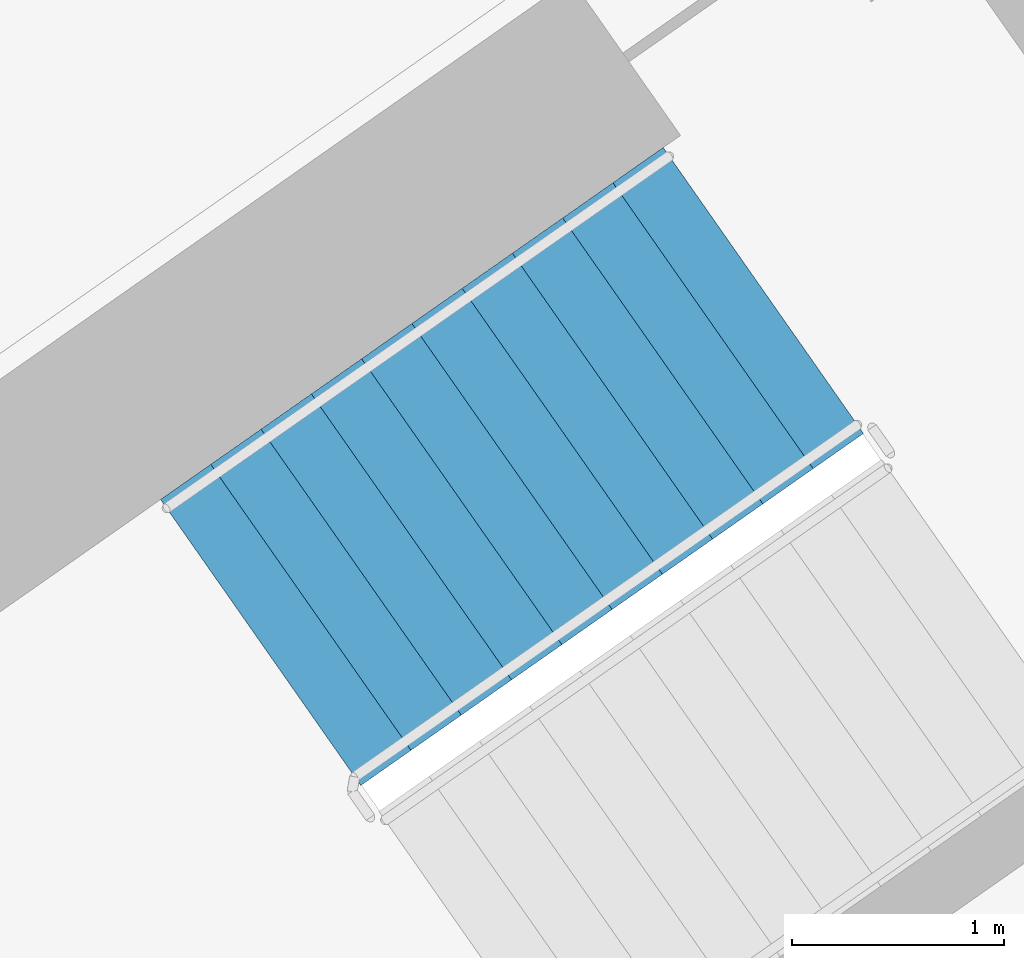
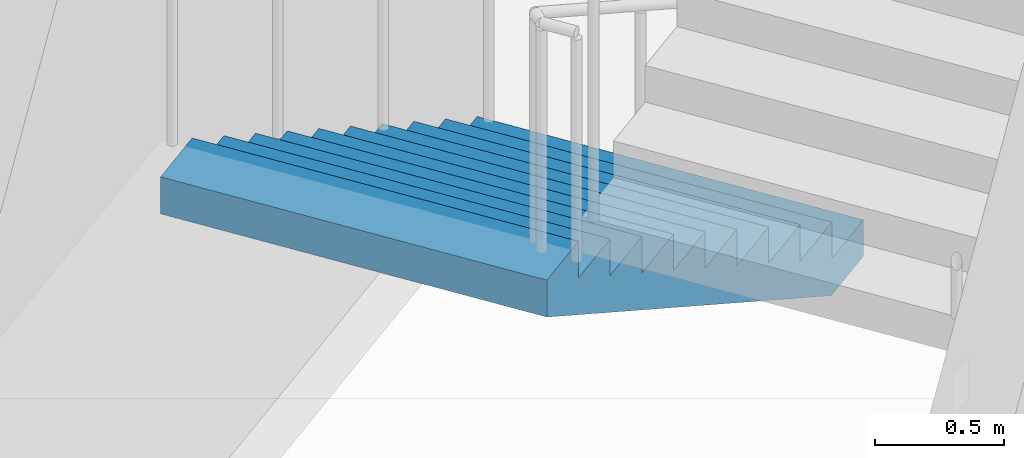
# One storey, part 14 of 29: 1 stair flight, 1 element without a shape of its own.
"""IFC4 building model written with IfcOpenShell, lengths in metres."""

from ifc_helpers import new_model, si_unit, direction, frame, origin, place, context, subcontext, project, spatial, faceted_brep, material, type_object, element, aggregate, save


model = new_model("IFC4")

# Units and contexts
model_context = context("Model", 3, precision=1e-05, world=origin(), true_north=direction((0.0, 1.0)))
body_context = subcontext(model_context, "Body", "Model", "MODEL_VIEW")
ifc_project = project(units=[si_unit("LENGTHUNIT", "METRE"), si_unit("AREAUNIT", "SQUARE_METRE"), si_unit("VOLUMEUNIT", "CUBIC_METRE"), si_unit("PLANEANGLEUNIT", "RADIAN"), si_unit("MASSUNIT", "GRAM", prefix="KILO")], contexts=[model_context])

# Site, building, storey
site_placement = place(None, origin())
site = spatial("IfcSite", under=ifc_project, at=site_placement, CompositionType="ELEMENT")
building_placement = place(site_placement, origin())
building = spatial("IfcBuilding", under=site, at=building_placement, Name="Qamariyya Broadcast Tower", CompositionType="ELEMENT")
storey_placement = place(building_placement, frame((0.0, 0.0, 136.699951171875)))
storey = spatial("IfcBuildingStorey", under=building, at=storey_placement, Name="L31", CompositionType="ELEMENT", Elevation=136.699951171875)

# Stair, stair flight
ifc_material = material(Name="Concrete C50/60", Category="concrete")
stair_type = type_object("IfcStairType", Name="Exit stair 22 risers of 173 mm", PredefinedType="HALF_TURN_STAIR", material=ifc_material)
stair_placement = place(storey_placement, origin())
stair = element("IfcStair", 1, at=stair_placement, inside=storey, type_object=stair_type, Name="L31 Stair E2", PredefinedType="HALF_TURN_STAIR")
stair_flight_type = type_object("IfcStairFlightType", Name="Exit stair flight 11 risers of 173 mm", PredefinedType="STRAIGHT", material=ifc_material)
stair_flight_placement = place(storey_placement, frame((40.558837890625, -47.685302734375, 0.0), z_axis=(0.0, 0.0, 1.0), x_axis=(-0.819152044289, -0.573576436351, 0.0)))
stair_flight = element("IfcStairFlight", 2, at=stair_flight_placement, type_object=stair_flight_type, Name="ST-E2 flight 1", NumberOfRisers=11, NumberOfTreads=10, PredefinedType="STRAIGHT", RiserHeight=0.172727273, TreadLength=0.29, context=body_context, shape_type="Brep", body=[
    faceted_brep([(0.0, 0.824951171875, 0.0), (0.0, 0.824951171875, 0.172607421875), (0.2900390625, 0.824951171875, 0.172607421875), (0.2900390625, 0.824951171875, 0.345458984375), (0.580078125, 0.824951171875, 0.345458984375), (0.580078125, 0.824951171875, 0.51806640625), (0.8701171875, 0.824951171875, 0.51806640625), (0.8701171875, 0.824951171875, 0.69091796875), (1.159912109375, 0.824951171875, 0.69091796875), (1.159912109375, 0.824951171875, 0.863525390625), (1.449951171875, 0.824951171875, 0.863525390625), (1.449951171875, 0.824951171875, 1.036376953125), (1.739990234375, 0.824951171875, 1.036376953125), (1.739990234375, 0.824951171875, 1.208984375), (2.030029296875, 0.824951171875, 1.208984375), (2.030029296875, 0.824951171875, 1.3818359375), (2.320068359375, 0.824951171875, 1.3818359375), (2.320068359375, 0.824951171875, 1.554443359375), (2.610107421875, 0.824951171875, 1.554443359375), (2.610107421875, 0.824951171875, 1.727294921875), (2.89990234375, 0.824951171875, 1.727294921875), (2.89990234375, 0.824951171875, 1.552734375), (0.29296875, 0.824951171875, 0.0), (0.29296875, -0.824951171875, 0.0), (2.89990234375, -0.824951171875, 1.552734375), (2.89990234375, -0.824951171875, 1.727294921875), (2.610107421875, -0.824951171875, 1.727294921875), (2.610107421875, -0.824951171875, 1.554443359375), (2.320068359375, -0.824951171875, 1.554443359375), (2.320068359375, -0.824951171875, 1.3818359375), (2.030029296875, -0.824951171875, 1.3818359375), (2.030029296875, -0.824951171875, 1.208984375), (1.739990234375, -0.824951171875, 1.208984375), (1.739990234375, -0.824951171875, 1.036376953125), (1.449951171875, -0.824951171875, 1.036376953125), (1.449951171875, -0.824951171875, 0.863525390625), (1.159912109375, -0.824951171875, 0.863525390625), (1.159912109375, -0.824951171875, 0.69091796875), (0.8701171875, -0.824951171875, 0.69091796875), (0.8701171875, -0.824951171875, 0.51806640625), (0.580078125, -0.824951171875, 0.51806640625), (0.580078125, -0.824951171875, 0.345458984375), (0.2900390625, -0.824951171875, 0.345458984375), (0.2900390625, -0.824951171875, 0.172607421875), (0.0, -0.824951171875, 0.172607421875), (0.0, -0.824951171875, 0.0), (0.0, 0.10009765625, 0.0), (0.0, 0.086669921875, 0.0), (0.0, 0.0732421875, 0.0), (0.0, 0.06005859375, 0.0), (0.0, 0.046630859375, 0.0), (0.0, 0.033447265625, 0.0), (0.0, 0.02001953125, 0.0), (0.0, 0.006591796875, 0.0), (0.0, -0.006591796875, 0.0), (0.0, -0.02001953125, 0.0), (0.0, -0.033447265625, 0.0), (0.0, -0.046630859375, 0.0), (0.0, -0.06005859375, 0.0), (0.0, -0.0732421875, 0.0), (0.0, -0.086669921875, 0.0), (0.0, -0.10009765625, 0.0), (0.0, -0.10009765625, 0.172607421875), (0.0, -0.086669921875, 0.172607421875), (0.0, -0.0732421875, 0.172607421875), (0.0, -0.06005859375, 0.172607421875), (0.0, -0.046630859375, 0.172607421875), (0.0, -0.033447265625, 0.172607421875), (0.0, -0.02001953125, 0.172607421875), (0.0, -0.006591796875, 0.172607421875), (0.0, 0.006591796875, 0.172607421875), (0.0, 0.02001953125, 0.172607421875), (0.0, 0.033447265625, 0.172607421875), (0.0, 0.046630859375, 0.172607421875), (0.0, 0.06005859375, 0.172607421875), (0.0, 0.0732421875, 0.172607421875), (0.0, 0.086669921875, 0.172607421875), (0.0, 0.10009765625, 0.172607421875), (0.2900390625, -0.10009765625, 0.172607421875), (0.2900390625, -0.086669921875, 0.172607421875), (0.2900390625, -0.0732421875, 0.172607421875), (0.2900390625, -0.06005859375, 0.172607421875), (0.2900390625, -0.046630859375, 0.172607421875), (0.2900390625, -0.033447265625, 0.172607421875), (0.2900390625, -0.02001953125, 0.172607421875), (0.2900390625, -0.006591796875, 0.172607421875), (0.2900390625, 0.006591796875, 0.172607421875), (0.2900390625, 0.02001953125, 0.172607421875), (0.2900390625, 0.033447265625, 0.172607421875), (0.2900390625, 0.046630859375, 0.172607421875), (0.2900390625, 0.06005859375, 0.172607421875), (0.2900390625, 0.0732421875, 0.172607421875), (0.2900390625, 0.086669921875, 0.172607421875), (0.2900390625, 0.10009765625, 0.172607421875), (0.2900390625, -0.10009765625, 0.345458984375), (0.2900390625, -0.086669921875, 0.345458984375), (0.2900390625, -0.0732421875, 0.345458984375), (0.2900390625, -0.06005859375, 0.345458984375), (0.2900390625, -0.046630859375, 0.345458984375), (0.2900390625, -0.033447265625, 0.345458984375), (0.2900390625, -0.02001953125, 0.345458984375), (0.2900390625, -0.006591796875, 0.345458984375), (0.2900390625, 0.006591796875, 0.345458984375), (0.2900390625, 0.02001953125, 0.345458984375), (0.2900390625, 0.033447265625, 0.345458984375), (0.2900390625, 0.046630859375, 0.345458984375), (0.2900390625, 0.06005859375, 0.345458984375), (0.2900390625, 0.0732421875, 0.345458984375), (0.2900390625, 0.086669921875, 0.345458984375), (0.2900390625, 0.10009765625, 0.345458984375), (0.580078125, -0.10009765625, 0.345458984375), (0.580078125, -0.086669921875, 0.345458984375), (0.580078125, -0.0732421875, 0.345458984375), (0.580078125, -0.06005859375, 0.345458984375), (0.580078125, -0.046630859375, 0.345458984375), (0.580078125, -0.033447265625, 0.345458984375), (0.580078125, -0.02001953125, 0.345458984375), (0.580078125, -0.006591796875, 0.345458984375), (0.580078125, 0.006591796875, 0.345458984375), (0.580078125, 0.02001953125, 0.345458984375), (0.580078125, 0.033447265625, 0.345458984375), (0.580078125, 0.046630859375, 0.345458984375), (0.580078125, 0.06005859375, 0.345458984375), (0.580078125, 0.0732421875, 0.345458984375), (0.580078125, 0.086669921875, 0.345458984375), (0.580078125, 0.10009765625, 0.345458984375), (0.580078125, -0.10009765625, 0.51806640625), (0.580078125, -0.086669921875, 0.51806640625), (0.580078125, -0.0732421875, 0.51806640625), (0.580078125, -0.06005859375, 0.51806640625), (0.580078125, -0.046630859375, 0.51806640625), (0.580078125, -0.033447265625, 0.51806640625), (0.580078125, -0.02001953125, 0.51806640625), (0.580078125, -0.006591796875, 0.51806640625), (0.580078125, 0.006591796875, 0.51806640625), (0.580078125, 0.02001953125, 0.51806640625), (0.580078125, 0.033447265625, 0.51806640625), (0.580078125, 0.046630859375, 0.51806640625), (0.580078125, 0.06005859375, 0.51806640625), (0.580078125, 0.0732421875, 0.51806640625), (0.580078125, 0.086669921875, 0.51806640625), (0.580078125, 0.10009765625, 0.51806640625), (0.8701171875, -0.10009765625, 0.51806640625), (0.8701171875, -0.086669921875, 0.51806640625), (0.8701171875, -0.0732421875, 0.51806640625), (0.8701171875, -0.06005859375, 0.51806640625), (0.8701171875, -0.046630859375, 0.51806640625), (0.8701171875, -0.033447265625, 0.51806640625), (0.8701171875, -0.02001953125, 0.51806640625), (0.8701171875, -0.006591796875, 0.51806640625), (0.8701171875, 0.006591796875, 0.51806640625), (0.8701171875, 0.02001953125, 0.51806640625), (0.8701171875, 0.033447265625, 0.51806640625), (0.8701171875, 0.046630859375, 0.51806640625), (0.8701171875, 0.06005859375, 0.51806640625), (0.8701171875, 0.0732421875, 0.51806640625), (0.8701171875, 0.086669921875, 0.51806640625), (0.8701171875, 0.10009765625, 0.51806640625), (0.8701171875, -0.10009765625, 0.69091796875), (0.8701171875, -0.086669921875, 0.69091796875), (0.8701171875, -0.0732421875, 0.69091796875), (0.8701171875, -0.06005859375, 0.69091796875), (0.8701171875, -0.046630859375, 0.69091796875), (0.8701171875, -0.033447265625, 0.69091796875), (0.8701171875, -0.02001953125, 0.69091796875), (0.8701171875, -0.006591796875, 0.69091796875), (0.8701171875, 0.006591796875, 0.69091796875), (0.8701171875, 0.02001953125, 0.69091796875), (0.8701171875, 0.033447265625, 0.69091796875), (0.8701171875, 0.046630859375, 0.69091796875), (0.8701171875, 0.06005859375, 0.69091796875), (0.8701171875, 0.0732421875, 0.69091796875), (0.8701171875, 0.086669921875, 0.69091796875), (0.8701171875, 0.10009765625, 0.69091796875), (1.159912109375, -0.10009765625, 0.69091796875), (1.159912109375, -0.086669921875, 0.69091796875), (1.159912109375, -0.0732421875, 0.69091796875), (1.159912109375, -0.06005859375, 0.69091796875), (1.159912109375, -0.046630859375, 0.69091796875), (1.159912109375, -0.033447265625, 0.69091796875), (1.159912109375, -0.02001953125, 0.69091796875), (1.159912109375, -0.006591796875, 0.69091796875), (1.159912109375, 0.006591796875, 0.69091796875), (1.159912109375, 0.02001953125, 0.69091796875), (1.159912109375, 0.033447265625, 0.69091796875), (1.159912109375, 0.046630859375, 0.69091796875), (1.159912109375, 0.06005859375, 0.69091796875), (1.159912109375, 0.0732421875, 0.69091796875), (1.159912109375, 0.086669921875, 0.69091796875), (1.159912109375, 0.10009765625, 0.69091796875), (1.159912109375, -0.10009765625, 0.863525390625), (1.159912109375, -0.086669921875, 0.863525390625), (1.159912109375, -0.0732421875, 0.863525390625), (1.159912109375, -0.06005859375, 0.863525390625), (1.159912109375, -0.046630859375, 0.863525390625), (1.159912109375, -0.033447265625, 0.863525390625), (1.159912109375, -0.02001953125, 0.863525390625), (1.159912109375, -0.006591796875, 0.863525390625), (1.159912109375, 0.006591796875, 0.863525390625), (1.159912109375, 0.02001953125, 0.863525390625), (1.159912109375, 0.033447265625, 0.863525390625), (1.159912109375, 0.046630859375, 0.863525390625), (1.159912109375, 0.06005859375, 0.863525390625), (1.159912109375, 0.0732421875, 0.863525390625), (1.159912109375, 0.086669921875, 0.863525390625), (1.159912109375, 0.10009765625, 0.863525390625), (1.449951171875, -0.10009765625, 0.863525390625), (1.449951171875, -0.086669921875, 0.863525390625), (1.449951171875, -0.0732421875, 0.863525390625), (1.449951171875, -0.06005859375, 0.863525390625), (1.449951171875, -0.046630859375, 0.863525390625), (1.449951171875, -0.033447265625, 0.863525390625), (1.449951171875, -0.02001953125, 0.863525390625), (1.449951171875, -0.006591796875, 0.863525390625), (1.449951171875, 0.006591796875, 0.863525390625), (1.449951171875, 0.02001953125, 0.863525390625), (1.449951171875, 0.033447265625, 0.863525390625), (1.449951171875, 0.046630859375, 0.863525390625), (1.449951171875, 0.06005859375, 0.863525390625), (1.449951171875, 0.0732421875, 0.863525390625), (1.449951171875, 0.086669921875, 0.863525390625), (1.449951171875, 0.10009765625, 0.863525390625), (1.449951171875, -0.10009765625, 1.036376953125), (1.449951171875, -0.086669921875, 1.036376953125), (1.449951171875, -0.0732421875, 1.036376953125), (1.449951171875, -0.06005859375, 1.036376953125), (1.449951171875, -0.046630859375, 1.036376953125), (1.449951171875, -0.033447265625, 1.036376953125), (1.449951171875, -0.02001953125, 1.036376953125), (1.449951171875, -0.006591796875, 1.036376953125), (1.449951171875, 0.006591796875, 1.036376953125), (1.449951171875, 0.02001953125, 1.036376953125), (1.449951171875, 0.033447265625, 1.036376953125), (1.449951171875, 0.046630859375, 1.036376953125), (1.449951171875, 0.06005859375, 1.036376953125), (1.449951171875, 0.0732421875, 1.036376953125), (1.449951171875, 0.086669921875, 1.036376953125), (1.449951171875, 0.10009765625, 1.036376953125), (1.739990234375, -0.10009765625, 1.036376953125), (1.739990234375, -0.086669921875, 1.036376953125), (1.739990234375, -0.0732421875, 1.036376953125), (1.739990234375, -0.06005859375, 1.036376953125), (1.739990234375, -0.046630859375, 1.036376953125), (1.739990234375, -0.033447265625, 1.036376953125), (1.739990234375, -0.02001953125, 1.036376953125), (1.739990234375, -0.006591796875, 1.036376953125), (1.739990234375, 0.006591796875, 1.036376953125), (1.739990234375, 0.02001953125, 1.036376953125), (1.739990234375, 0.033447265625, 1.036376953125), (1.739990234375, 0.046630859375, 1.036376953125), (1.739990234375, 0.06005859375, 1.036376953125), (1.739990234375, 0.0732421875, 1.036376953125), (1.739990234375, 0.086669921875, 1.036376953125), (1.739990234375, 0.10009765625, 1.036376953125), (1.739990234375, -0.10009765625, 1.208984375), (1.739990234375, -0.086669921875, 1.208984375), (1.739990234375, -0.0732421875, 1.208984375), (1.739990234375, -0.06005859375, 1.208984375), (1.739990234375, -0.046630859375, 1.208984375), (1.739990234375, -0.033447265625, 1.208984375), (1.739990234375, -0.02001953125, 1.208984375), (1.739990234375, -0.006591796875, 1.208984375), (1.739990234375, 0.006591796875, 1.208984375), (1.739990234375, 0.02001953125, 1.208984375), (1.739990234375, 0.033447265625, 1.208984375), (1.739990234375, 0.046630859375, 1.208984375), (1.739990234375, 0.06005859375, 1.208984375), (1.739990234375, 0.0732421875, 1.208984375), (1.739990234375, 0.086669921875, 1.208984375), (1.739990234375, 0.10009765625, 1.208984375), (2.030029296875, -0.10009765625, 1.208984375), (2.030029296875, -0.086669921875, 1.208984375), (2.030029296875, -0.0732421875, 1.208984375), (2.030029296875, -0.06005859375, 1.208984375), (2.030029296875, -0.046630859375, 1.208984375), (2.030029296875, -0.033447265625, 1.208984375), (2.030029296875, -0.02001953125, 1.208984375), (2.030029296875, -0.006591796875, 1.208984375), (2.030029296875, 0.006591796875, 1.208984375), (2.030029296875, 0.02001953125, 1.208984375), (2.030029296875, 0.033447265625, 1.208984375), (2.030029296875, 0.046630859375, 1.208984375), (2.030029296875, 0.06005859375, 1.208984375), (2.030029296875, 0.0732421875, 1.208984375), (2.030029296875, 0.086669921875, 1.208984375), (2.030029296875, 0.10009765625, 1.208984375), (2.030029296875, -0.10009765625, 1.3818359375), (2.030029296875, -0.086669921875, 1.3818359375), (2.030029296875, -0.0732421875, 1.3818359375), (2.030029296875, -0.06005859375, 1.3818359375), (2.030029296875, -0.046630859375, 1.3818359375), (2.030029296875, -0.033447265625, 1.3818359375), (2.030029296875, -0.02001953125, 1.3818359375), (2.030029296875, -0.006591796875, 1.3818359375), (2.030029296875, 0.006591796875, 1.3818359375), (2.030029296875, 0.02001953125, 1.3818359375), (2.030029296875, 0.033447265625, 1.3818359375), (2.030029296875, 0.046630859375, 1.3818359375), (2.030029296875, 0.06005859375, 1.3818359375), (2.030029296875, 0.0732421875, 1.3818359375), (2.030029296875, 0.086669921875, 1.3818359375), (2.030029296875, 0.10009765625, 1.3818359375), (2.320068359375, -0.10009765625, 1.3818359375), (2.320068359375, -0.086669921875, 1.3818359375), (2.320068359375, -0.0732421875, 1.3818359375), (2.320068359375, -0.06005859375, 1.3818359375), (2.320068359375, -0.046630859375, 1.3818359375), (2.320068359375, -0.033447265625, 1.3818359375), (2.320068359375, -0.02001953125, 1.3818359375), (2.320068359375, -0.006591796875, 1.3818359375), (2.320068359375, 0.006591796875, 1.3818359375), (2.320068359375, 0.02001953125, 1.3818359375), (2.320068359375, 0.033447265625, 1.3818359375), (2.320068359375, 0.046630859375, 1.3818359375), (2.320068359375, 0.06005859375, 1.3818359375), (2.320068359375, 0.0732421875, 1.3818359375), (2.320068359375, 0.086669921875, 1.3818359375), (2.320068359375, 0.10009765625, 1.3818359375), (2.320068359375, -0.10009765625, 1.554443359375), (2.320068359375, -0.086669921875, 1.554443359375), (2.320068359375, -0.0732421875, 1.554443359375), (2.320068359375, -0.06005859375, 1.554443359375), (2.320068359375, -0.046630859375, 1.554443359375), (2.320068359375, -0.033447265625, 1.554443359375), (2.320068359375, -0.02001953125, 1.554443359375), (2.320068359375, -0.006591796875, 1.554443359375), (2.320068359375, 0.006591796875, 1.554443359375), (2.320068359375, 0.02001953125, 1.554443359375), (2.320068359375, 0.033447265625, 1.554443359375), (2.320068359375, 0.046630859375, 1.554443359375), (2.320068359375, 0.06005859375, 1.554443359375), (2.320068359375, 0.0732421875, 1.554443359375), (2.320068359375, 0.086669921875, 1.554443359375), (2.320068359375, 0.10009765625, 1.554443359375), (2.610107421875, -0.10009765625, 1.554443359375), (2.610107421875, -0.086669921875, 1.554443359375), (2.610107421875, -0.0732421875, 1.554443359375), (2.610107421875, -0.06005859375, 1.554443359375), (2.610107421875, -0.046630859375, 1.554443359375), (2.610107421875, -0.033447265625, 1.554443359375), (2.610107421875, -0.02001953125, 1.554443359375), (2.610107421875, -0.006591796875, 1.554443359375), (2.610107421875, 0.006591796875, 1.554443359375), (2.610107421875, 0.02001953125, 1.554443359375), (2.610107421875, 0.033447265625, 1.554443359375), (2.610107421875, 0.046630859375, 1.554443359375), (2.610107421875, 0.06005859375, 1.554443359375), (2.610107421875, 0.0732421875, 1.554443359375), (2.610107421875, 0.086669921875, 1.554443359375), (2.610107421875, 0.10009765625, 1.554443359375), (2.610107421875, -0.10009765625, 1.727294921875), (2.610107421875, -0.086669921875, 1.727294921875), (2.610107421875, -0.0732421875, 1.727294921875), (2.610107421875, -0.06005859375, 1.727294921875), (2.610107421875, -0.046630859375, 1.727294921875), (2.610107421875, -0.033447265625, 1.727294921875), (2.610107421875, -0.02001953125, 1.727294921875), (2.610107421875, -0.006591796875, 1.727294921875), (2.610107421875, 0.006591796875, 1.727294921875), (2.610107421875, 0.02001953125, 1.727294921875), (2.610107421875, 0.033447265625, 1.727294921875), (2.610107421875, 0.046630859375, 1.727294921875), (2.610107421875, 0.06005859375, 1.727294921875), (2.610107421875, 0.0732421875, 1.727294921875), (2.610107421875, 0.086669921875, 1.727294921875), (2.610107421875, 0.10009765625, 1.727294921875), (2.89990234375, -0.10009765625, 1.727294921875), (2.89990234375, -0.086669921875, 1.727294921875), (2.89990234375, -0.0732421875, 1.727294921875), (2.89990234375, -0.06005859375, 1.727294921875), (2.89990234375, -0.046630859375, 1.727294921875), (2.89990234375, -0.033447265625, 1.727294921875), (2.89990234375, -0.02001953125, 1.727294921875), (2.89990234375, -0.006591796875, 1.727294921875), (2.89990234375, 0.006591796875, 1.727294921875), (2.89990234375, 0.02001953125, 1.727294921875), (2.89990234375, 0.033447265625, 1.727294921875), (2.89990234375, 0.046630859375, 1.727294921875), (2.89990234375, 0.06005859375, 1.727294921875), (2.89990234375, 0.0732421875, 1.727294921875), (2.89990234375, 0.086669921875, 1.727294921875), (2.89990234375, 0.10009765625, 1.727294921875), (2.89990234375, -0.10009765625, 1.552734375), (2.89990234375, -0.086669921875, 1.552734375), (2.89990234375, -0.0732421875, 1.552734375), (2.89990234375, -0.06005859375, 1.552734375), (2.89990234375, -0.046630859375, 1.552734375), (2.89990234375, -0.033447265625, 1.552734375), (2.89990234375, -0.02001953125, 1.552734375), (2.89990234375, -0.006591796875, 1.552734375), (2.89990234375, 0.006591796875, 1.552734375), (2.89990234375, 0.02001953125, 1.552734375), (2.89990234375, 0.033447265625, 1.552734375), (2.89990234375, 0.046630859375, 1.552734375), (2.89990234375, 0.06005859375, 1.552734375), (2.89990234375, 0.0732421875, 1.552734375), (2.89990234375, 0.086669921875, 1.552734375), (2.89990234375, 0.10009765625, 1.552734375), (0.29296875, -0.10009765625, 0.0), (0.29296875, -0.086669921875, 0.0), (0.29296875, -0.0732421875, 0.0), (0.29296875, -0.06005859375, 0.0), (0.29296875, -0.046630859375, 0.0), (0.29296875, -0.033447265625, 0.0), (0.29296875, -0.02001953125, 0.0), (0.29296875, -0.006591796875, 0.0), (0.29296875, 0.006591796875, 0.0), (0.29296875, 0.02001953125, 0.0), (0.29296875, 0.033447265625, 0.0), (0.29296875, 0.046630859375, 0.0), (0.29296875, 0.06005859375, 0.0), (0.29296875, 0.0732421875, 0.0), (0.29296875, 0.086669921875, 0.0), (0.29296875, 0.10009765625, 0.0)], [[[0, 1, 2, 3, 4, 5, 6, 7, 8, 9, 10, 11, 12, 13, 14, 15, 16, 17, 18, 19, 20, 21, 22]], [[23, 24, 25, 26, 27, 28, 29, 30, 31, 32, 33, 34, 35, 36, 37, 38, 39, 40, 41, 42, 43, 44, 45]], [[0, 46, 47, 48, 49, 50, 51, 52, 53, 54, 55, 56, 57, 58, 59, 60, 61, 45, 44, 62, 63, 64, 65, 66, 67, 68, 69, 70, 71, 72, 73, 74, 75, 76, 77, 1]], [[1, 77, 76, 75, 74, 73, 72, 71, 70, 69, 68, 67, 66, 65, 64, 63, 62, 44, 43, 78, 79, 80, 81, 82, 83, 84, 85, 86, 87, 88, 89, 90, 91, 92, 93, 2]], [[2, 93, 92, 91, 90, 89, 88, 87, 86, 85, 84, 83, 82, 81, 80, 79, 78, 43, 42, 94, 95, 96, 97, 98, 99, 100, 101, 102, 103, 104, 105, 106, 107, 108, 109, 3]], [[3, 109, 108, 107, 106, 105, 104, 103, 102, 101, 100, 99, 98, 97, 96, 95, 94, 42, 41, 110, 111, 112, 113, 114, 115, 116, 117, 118, 119, 120, 121, 122, 123, 124, 125, 4]], [[4, 125, 124, 123, 122, 121, 120, 119, 118, 117, 116, 115, 114, 113, 112, 111, 110, 41, 40, 126, 127, 128, 129, 130, 131, 132, 133, 134, 135, 136, 137, 138, 139, 140, 141, 5]], [[5, 141, 140, 139, 138, 137, 136, 135, 134, 133, 132, 131, 130, 129, 128, 127, 126, 40, 39, 142, 143, 144, 145, 146, 147, 148, 149, 150, 151, 152, 153, 154, 155, 156, 157, 6]], [[6, 157, 156, 155, 154, 153, 152, 151, 150, 149, 148, 147, 146, 145, 144, 143, 142, 39, 38, 158, 159, 160, 161, 162, 163, 164, 165, 166, 167, 168, 169, 170, 171, 172, 173, 7]], [[7, 173, 172, 171, 170, 169, 168, 167, 166, 165, 164, 163, 162, 161, 160, 159, 158, 38, 37, 174, 175, 176, 177, 178, 179, 180, 181, 182, 183, 184, 185, 186, 187, 188, 189, 8]], [[8, 189, 188, 187, 186, 185, 184, 183, 182, 181, 180, 179, 178, 177, 176, 175, 174, 37, 36, 190, 191, 192, 193, 194, 195, 196, 197, 198, 199, 200, 201, 202, 203, 204, 205, 9]], [[9, 205, 204, 203, 202, 201, 200, 199, 198, 197, 196, 195, 194, 193, 192, 191, 190, 36, 35, 206, 207, 208, 209, 210, 211, 212, 213, 214, 215, 216, 217, 218, 219, 220, 221, 10]], [[10, 221, 220, 219, 218, 217, 216, 215, 214, 213, 212, 211, 210, 209, 208, 207, 206, 35, 34, 222, 223, 224, 225, 226, 227, 228, 229, 230, 231, 232, 233, 234, 235, 236, 237, 11]], [[11, 237, 236, 235, 234, 233, 232, 231, 230, 229, 228, 227, 226, 225, 224, 223, 222, 34, 33, 238, 239, 240, 241, 242, 243, 244, 245, 246, 247, 248, 249, 250, 251, 252, 253, 12]], [[12, 253, 252, 251, 250, 249, 248, 247, 246, 245, 244, 243, 242, 241, 240, 239, 238, 33, 32, 254, 255, 256, 257, 258, 259, 260, 261, 262, 263, 264, 265, 266, 267, 268, 269, 13]], [[13, 269, 268, 267, 266, 265, 264, 263, 262, 261, 260, 259, 258, 257, 256, 255, 254, 32, 31, 270, 271, 272, 273, 274, 275, 276, 277, 278, 279, 280, 281, 282, 283, 284, 285, 14]], [[14, 285, 284, 283, 282, 281, 280, 279, 278, 277, 276, 275, 274, 273, 272, 271, 270, 31, 30, 286, 287, 288, 289, 290, 291, 292, 293, 294, 295, 296, 297, 298, 299, 300, 301, 15]], [[15, 301, 300, 299, 298, 297, 296, 295, 294, 293, 292, 291, 290, 289, 288, 287, 286, 30, 29, 302, 303, 304, 305, 306, 307, 308, 309, 310, 311, 312, 313, 314, 315, 316, 317, 16]], [[16, 317, 316, 315, 314, 313, 312, 311, 310, 309, 308, 307, 306, 305, 304, 303, 302, 29, 28, 318, 319, 320, 321, 322, 323, 324, 325, 326, 327, 328, 329, 330, 331, 332, 333, 17]], [[17, 333, 332, 331, 330, 329, 328, 327, 326, 325, 324, 323, 322, 321, 320, 319, 318, 28, 27, 334, 335, 336, 337, 338, 339, 340, 341, 342, 343, 344, 345, 346, 347, 348, 349, 18]], [[18, 349, 348, 347, 346, 345, 344, 343, 342, 341, 340, 339, 338, 337, 336, 335, 334, 27, 26, 350, 351, 352, 353, 354, 355, 356, 357, 358, 359, 360, 361, 362, 363, 364, 365, 19]], [[19, 365, 364, 363, 362, 361, 360, 359, 358, 357, 356, 355, 354, 353, 352, 351, 350, 26, 25, 366, 367, 368, 369, 370, 371, 372, 373, 374, 375, 376, 377, 378, 379, 380, 381, 20]], [[20, 381, 380, 379, 378, 377, 376, 375, 374, 373, 372, 371, 370, 369, 368, 367, 366, 25, 24, 382, 383, 384, 385, 386, 387, 388, 389, 390, 391, 392, 393, 394, 395, 396, 397, 21]], [[21, 397, 396, 395, 394, 393, 392, 391, 390, 389, 388, 387, 386, 385, 384, 383, 382, 24, 23, 398, 399, 400, 401, 402, 403, 404, 405, 406, 407, 408, 409, 410, 411, 412, 413, 22]], [[22, 413, 412, 411, 410, 409, 408, 407, 406, 405, 404, 403, 402, 401, 400, 399, 398, 23, 45, 61, 60, 59, 58, 57, 56, 55, 54, 53, 52, 51, 50, 49, 48, 47, 46, 0]]]),
])
aggregate(stair, [stair_flight])

save(model, "model.ifc")
